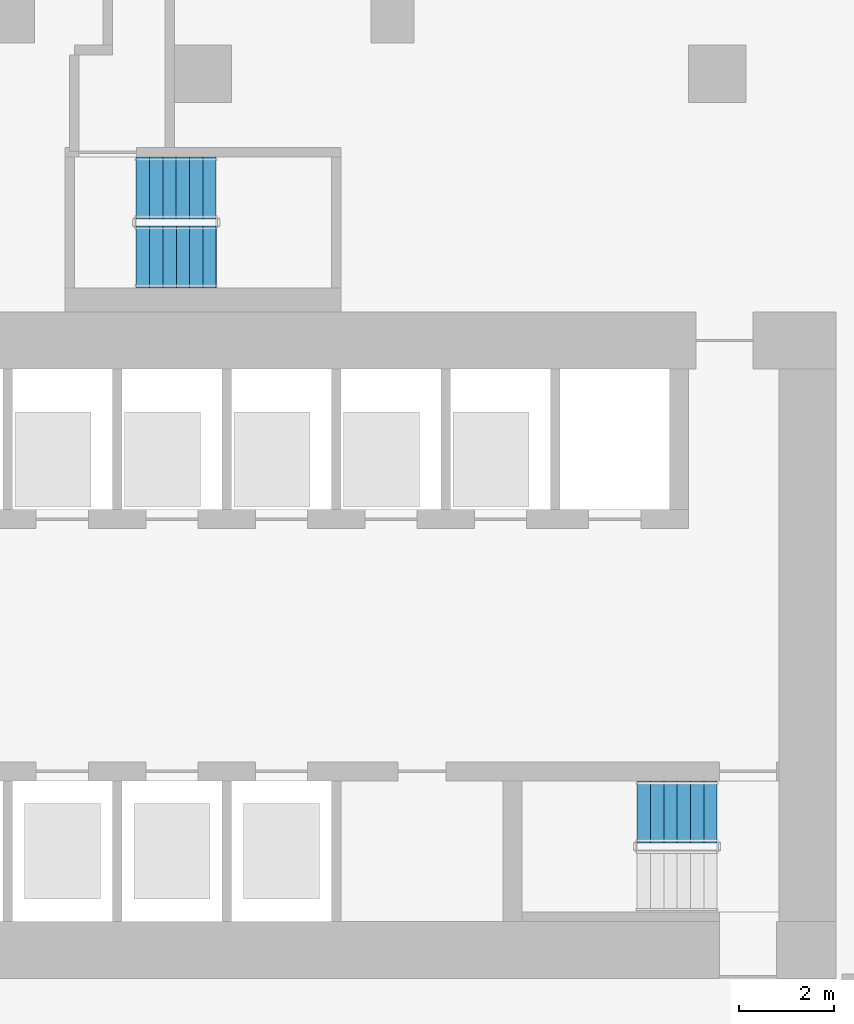
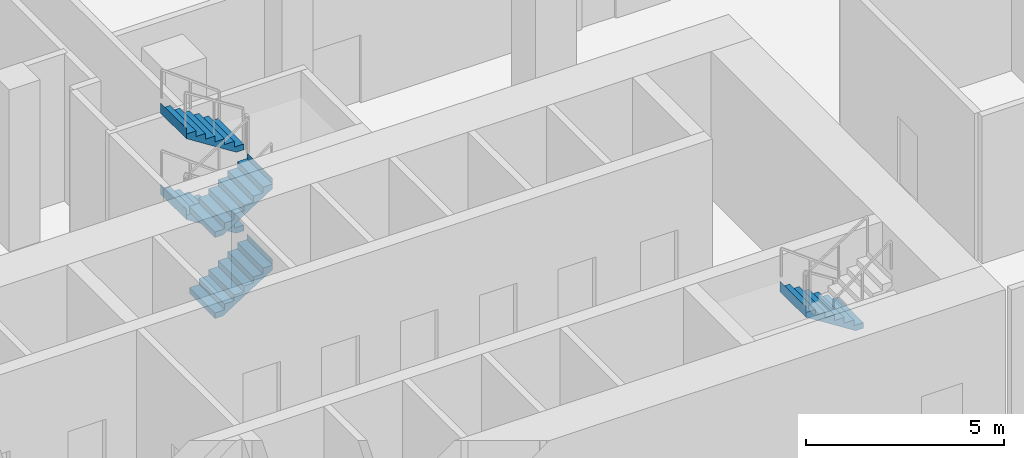
# One storey, part 43 of 57: 5 stair flights, 2 elements without a shape of their own.
"""IFC4 building model written with IfcOpenShell, lengths in metres."""

from ifc_helpers import new_model, si_unit, direction, frame, origin, place, context, subcontext, project, spatial, triangles, material, type_object, element, aggregate, save


model = new_model("IFC4")

# Units and contexts
model_context = context("Model", 3, precision=1e-05, world=origin(), true_north=direction((0.0, 1.0)))
body_context = subcontext(model_context, "Body", "Model", "MODEL_VIEW")
ifc_project = project(units=[si_unit("LENGTHUNIT", "METRE"), si_unit("AREAUNIT", "SQUARE_METRE"), si_unit("VOLUMEUNIT", "CUBIC_METRE"), si_unit("PLANEANGLEUNIT", "RADIAN"), si_unit("MASSUNIT", "GRAM", prefix="KILO")], contexts=[model_context])

# Site, building, storey
site_placement = place(None, origin())
site = spatial("IfcSite", under=ifc_project, at=site_placement, CompositionType="ELEMENT")
building_placement = place(site_placement, origin())
building = spatial("IfcBuilding", under=site, at=building_placement, Name="Beryl Residences", CompositionType="ELEMENT")
storey_placement = place(building_placement, origin())
storey = spatial("IfcBuildingStorey", under=building, at=storey_placement, Name="L00", CompositionType="ELEMENT", Elevation=0.0)

# Stair, stair flight
ifc_material_1 = material(Name="Concrete C40/50", Category="concrete")
stair_type = type_object("IfcStairType", Name="ST1 protected exit stair, half-turn, 1300 mm flights", PredefinedType="HALF_TURN_STAIR", material=ifc_material_1)
stair_1_placement = place(storey_placement, origin())
stair_1 = element("IfcStair", 1, at=stair_1_placement, inside=storey, type_object=stair_type, Name="L00 PROTECTED EXIT STAIR ST-3", PredefinedType="HALF_TURN_STAIR")
ifc_material_2 = material(Name="Concrete C40/50", Category="concrete")
stair_flight_type = type_object("IfcStairFlightType", Name="SF1 stair flight 1300 mm", PredefinedType="STRAIGHT", material=ifc_material_2)
stair_flight_1_placement = place(storey_placement, frame((10.800048828125, -15.5, 2.5), z_axis=(0.0, 0.0, 1.0), x_axis=(-1.0, 0.0, 0.0)))
stair_flight_1 = element("IfcStairFlight", 2, at=stair_flight_1_placement, type_object=stair_flight_type, Name="ST-3 flight 3", NumberOfRisers=7, NumberOfTreads=6, PredefinedType="STRAIGHT", RiserHeight=0.178571429, TreadLength=0.28, context=body_context, shape_type="Tessellation", body=[
    triangles([(0.0, -0.64990234375, 0.0), (0.0, -0.324951171875, 0.0), (0.0, 0.0, 0.0), (0.0, 0.324951171875, 0.0), (0.0, 0.64990234375, 0.0), (0.0, -0.64990234375, 0.178466796875), (0.0, -0.324951171875, 0.178466796875), (0.0, 0.0, 0.178466796875), (0.0, 0.324951171875, 0.178466796875), (0.0, 0.64990234375, 0.178466796875), (0.280029296875, -0.64990234375, 0.178466796875), (0.280029296875, -0.324951171875, 0.178466796875), (0.280029296875, 0.0, 0.178466796875), (0.280029296875, 0.324951171875, 0.178466796875), (0.280029296875, 0.64990234375, 0.178466796875), (0.280029296875, -0.64990234375, 0.357177734375), (0.280029296875, -0.324951171875, 0.357177734375), (0.280029296875, 0.0, 0.357177734375), (0.280029296875, 0.324951171875, 0.357177734375), (0.280029296875, 0.64990234375, 0.357177734375), (0.56005859375, -0.64990234375, 0.357177734375), (0.56005859375, -0.324951171875, 0.357177734375), (0.56005859375, 0.0, 0.357177734375), (0.56005859375, 0.324951171875, 0.357177734375), (0.56005859375, 0.64990234375, 0.357177734375), (0.56005859375, -0.64990234375, 0.53564453125), (0.56005859375, -0.324951171875, 0.53564453125), (0.56005859375, 0.0, 0.53564453125), (0.56005859375, 0.324951171875, 0.53564453125), (0.56005859375, 0.64990234375, 0.53564453125), (0.840087890625, -0.64990234375, 0.53564453125), (0.840087890625, -0.324951171875, 0.53564453125), (0.840087890625, 0.0, 0.53564453125), (0.840087890625, 0.324951171875, 0.53564453125), (0.840087890625, 0.64990234375, 0.53564453125), (0.840087890625, -0.64990234375, 0.71435546875), (0.840087890625, -0.324951171875, 0.71435546875), (0.840087890625, 0.0, 0.71435546875), (0.840087890625, 0.324951171875, 0.71435546875), (0.840087890625, 0.64990234375, 0.71435546875), (1.1201171875, -0.64990234375, 0.71435546875), (1.1201171875, -0.324951171875, 0.71435546875), (1.1201171875, 0.0, 0.71435546875), (1.1201171875, 0.324951171875, 0.71435546875), (1.1201171875, 0.64990234375, 0.71435546875), (1.1201171875, -0.64990234375, 0.892822265625), (1.1201171875, -0.324951171875, 0.892822265625), (1.1201171875, 0.0, 0.892822265625), (1.1201171875, 0.324951171875, 0.892822265625), (1.1201171875, 0.64990234375, 0.892822265625), (1.39990234375, -0.64990234375, 0.892822265625), (1.39990234375, -0.324951171875, 0.892822265625), (1.39990234375, 0.0, 0.892822265625), (1.39990234375, 0.324951171875, 0.892822265625), (1.39990234375, 0.64990234375, 0.892822265625), (1.39990234375, -0.64990234375, 1.071533203125), (1.39990234375, -0.324951171875, 1.071533203125), (1.39990234375, 0.0, 1.071533203125), (1.39990234375, 0.324951171875, 1.071533203125), (1.39990234375, 0.64990234375, 1.071533203125), (1.679931640625, -0.64990234375, 1.071533203125), (1.679931640625, -0.324951171875, 1.071533203125), (1.679931640625, 0.0, 1.071533203125), (1.679931640625, 0.324951171875, 1.071533203125), (1.679931640625, 0.64990234375, 1.071533203125), (1.679931640625, -0.64990234375, 1.25), (1.679931640625, -0.324951171875, 1.25), (1.679931640625, 0.0, 1.25), (1.679931640625, 0.324951171875, 1.25), (1.679931640625, 0.64990234375, 1.25), (1.680908203125, -0.64990234375, 1.25), (1.680908203125, -0.324951171875, 1.25), (1.680908203125, 0.0, 1.25), (1.680908203125, 0.324951171875, 1.25), (1.680908203125, 0.64990234375, 1.25), (1.680908203125, -0.64990234375, 0.928955078125), (1.680908203125, -0.324951171875, 0.928955078125), (1.680908203125, 0.0, 0.928955078125), (1.680908203125, 0.324951171875, 0.928955078125), (1.680908203125, 0.64990234375, 0.928955078125), (0.224365234375, -0.64990234375, 0.0), (0.224365234375, -0.324951171875, 0.0), (0.224365234375, 0.0, 0.0), (0.224365234375, 0.324951171875, 0.0), (0.224365234375, 0.64990234375, 0.0)], [[1, 6, 7], [1, 7, 2], [2, 7, 8], [2, 8, 3], [3, 8, 9], [3, 9, 4], [4, 9, 10], [4, 10, 5], [6, 11, 12], [6, 12, 7], [7, 12, 13], [7, 13, 8], [8, 13, 14], [8, 14, 9], [9, 14, 15], [9, 15, 10], [11, 16, 17], [11, 17, 12], [12, 17, 18], [12, 18, 13], [13, 18, 19], [13, 19, 14], [14, 19, 20], [14, 20, 15], [16, 21, 22], [16, 22, 17], [17, 22, 23], [17, 23, 18], [18, 23, 24], [18, 24, 19], [19, 24, 25], [19, 25, 20], [21, 26, 27], [21, 27, 22], [22, 27, 28], [22, 28, 23], [23, 28, 29], [23, 29, 24], [24, 29, 30], [24, 30, 25], [26, 31, 32], [26, 32, 27], [27, 32, 33], [27, 33, 28], [28, 33, 34], [28, 34, 29], [29, 34, 35], [29, 35, 30], [31, 36, 37], [31, 37, 32], [32, 37, 38], [32, 38, 33], [33, 38, 39], [33, 39, 34], [34, 39, 40], [34, 40, 35], [36, 41, 42], [36, 42, 37], [37, 42, 43], [37, 43, 38], [38, 43, 44], [38, 44, 39], [39, 44, 45], [39, 45, 40], [41, 46, 47], [41, 47, 42], [42, 47, 48], [42, 48, 43], [43, 48, 49], [43, 49, 44], [44, 49, 50], [44, 50, 45], [46, 51, 52], [46, 52, 47], [47, 52, 53], [47, 53, 48], [48, 53, 54], [48, 54, 49], [49, 54, 55], [49, 55, 50], [51, 56, 57], [51, 57, 52], [52, 57, 58], [52, 58, 53], [53, 58, 59], [53, 59, 54], [54, 59, 60], [54, 60, 55], [56, 61, 62], [56, 62, 57], [57, 62, 63], [57, 63, 58], [58, 63, 64], [58, 64, 59], [59, 64, 65], [59, 65, 60], [61, 66, 67], [61, 67, 62], [62, 67, 68], [62, 68, 63], [63, 68, 69], [63, 69, 64], [64, 69, 70], [64, 70, 65], [66, 71, 72], [66, 72, 67], [67, 72, 73], [67, 73, 68], [68, 73, 74], [68, 74, 69], [69, 74, 75], [69, 75, 70], [71, 76, 77], [71, 77, 72], [72, 77, 78], [72, 78, 73], [73, 78, 79], [73, 79, 74], [74, 79, 80], [74, 80, 75], [76, 81, 82], [76, 82, 77], [77, 82, 83], [77, 83, 78], [78, 83, 84], [78, 84, 79], [79, 84, 85], [79, 85, 80], [81, 1, 2], [81, 2, 82], [82, 2, 3], [82, 3, 83], [83, 3, 4], [83, 4, 84], [84, 4, 5], [84, 5, 85], [1, 81, 76], [5, 80, 85], [76, 71, 66], [80, 70, 75], [76, 66, 61], [80, 65, 70], [76, 61, 56], [80, 60, 65], [76, 56, 51], [80, 55, 60], [51, 46, 41], [55, 45, 50], [76, 51, 41], [80, 45, 55], [41, 36, 31], [45, 35, 40], [76, 41, 31], [80, 35, 45], [31, 26, 21], [35, 25, 30], [76, 31, 21], [80, 25, 35], [21, 16, 11], [25, 15, 20], [76, 21, 11], [80, 15, 25], [1, 76, 11], [5, 15, 80], [11, 6, 1], [15, 5, 10]], closed=True),
])
aggregate(stair_1, [stair_flight_1])

# Stair, stair flights
stair_2_placement = place(storey_placement, origin())
stair_2 = element("IfcStair", 3, at=stair_2_placement, inside=storey, type_object=stair_type, Name="L00 PROTECTED EXIT STAIR ST-4", PredefinedType="HALF_TURN_STAIR")
stair_flight_2_placement = place(storey_placement, frame((-1.39990234375, -3.85009765625, 0.0), z_axis=(0.0, 0.0, 1.0), x_axis=(1.0, 0.0, 0.0)))
stair_flight_2 = element("IfcStairFlight", 4, at=stair_flight_2_placement, type_object=stair_flight_type, Name="ST-4 flight 1", NumberOfRisers=7, NumberOfTreads=6, PredefinedType="STRAIGHT", RiserHeight=0.178571429, TreadLength=0.28, context=body_context, shape_type="Tessellation", body=[
    triangles([(0.0, -0.64990234375, 0.0), (0.0, -0.324951171875, 0.0), (0.0, 0.0, 0.0), (0.0, 0.324951171875, 0.0), (0.0, 0.64990234375, 0.0), (0.0, -0.64990234375, 0.178466796875), (0.0, -0.324951171875, 0.178466796875), (0.0, 0.0, 0.178466796875), (0.0, 0.324951171875, 0.178466796875), (0.0, 0.64990234375, 0.178466796875), (0.280029296875, -0.64990234375, 0.178466796875), (0.280029296875, -0.324951171875, 0.178466796875), (0.280029296875, 0.0, 0.178466796875), (0.280029296875, 0.324951171875, 0.178466796875), (0.280029296875, 0.64990234375, 0.178466796875), (0.280029296875, -0.64990234375, 0.357177734375), (0.280029296875, -0.324951171875, 0.357177734375), (0.280029296875, 0.0, 0.357177734375), (0.280029296875, 0.324951171875, 0.357177734375), (0.280029296875, 0.64990234375, 0.357177734375), (0.56005859375, -0.64990234375, 0.357177734375), (0.56005859375, -0.324951171875, 0.357177734375), (0.56005859375, 0.0, 0.357177734375), (0.56005859375, 0.324951171875, 0.357177734375), (0.56005859375, 0.64990234375, 0.357177734375), (0.56005859375, -0.64990234375, 0.53564453125), (0.56005859375, -0.324951171875, 0.53564453125), (0.56005859375, 0.0, 0.53564453125), (0.56005859375, 0.324951171875, 0.53564453125), (0.56005859375, 0.64990234375, 0.53564453125), (0.840087890625, -0.64990234375, 0.53564453125), (0.840087890625, -0.324951171875, 0.53564453125), (0.840087890625, 0.0, 0.53564453125), (0.840087890625, 0.324951171875, 0.53564453125), (0.840087890625, 0.64990234375, 0.53564453125), (0.840087890625, -0.64990234375, 0.71435546875), (0.840087890625, -0.324951171875, 0.71435546875), (0.840087890625, 0.0, 0.71435546875), (0.840087890625, 0.324951171875, 0.71435546875), (0.840087890625, 0.64990234375, 0.71435546875), (1.1201171875, -0.64990234375, 0.71435546875), (1.1201171875, -0.324951171875, 0.71435546875), (1.1201171875, 0.0, 0.71435546875), (1.1201171875, 0.324951171875, 0.71435546875), (1.1201171875, 0.64990234375, 0.71435546875), (1.1201171875, -0.64990234375, 0.892822265625), (1.1201171875, -0.324951171875, 0.892822265625), (1.1201171875, 0.0, 0.892822265625), (1.1201171875, 0.324951171875, 0.892822265625), (1.1201171875, 0.64990234375, 0.892822265625), (1.39990234375, -0.64990234375, 0.892822265625), (1.39990234375, -0.324951171875, 0.892822265625), (1.39990234375, 0.0, 0.892822265625), (1.39990234375, 0.324951171875, 0.892822265625), (1.39990234375, 0.64990234375, 0.892822265625), (1.39990234375, -0.64990234375, 1.071533203125), (1.39990234375, -0.324951171875, 1.071533203125), (1.39990234375, 0.0, 1.071533203125), (1.39990234375, 0.324951171875, 1.071533203125), (1.39990234375, 0.64990234375, 1.071533203125), (1.679931640625, -0.64990234375, 1.071533203125), (1.679931640625, -0.324951171875, 1.071533203125), (1.679931640625, 0.0, 1.071533203125), (1.679931640625, 0.324951171875, 1.071533203125), (1.679931640625, 0.64990234375, 1.071533203125), (1.679931640625, -0.64990234375, 1.25), (1.679931640625, -0.324951171875, 1.25), (1.679931640625, 0.0, 1.25), (1.679931640625, 0.324951171875, 1.25), (1.679931640625, 0.64990234375, 1.25), (1.680908203125, -0.64990234375, 1.25), (1.680908203125, -0.324951171875, 1.25), (1.680908203125, 0.0, 1.25), (1.680908203125, 0.324951171875, 1.25), (1.680908203125, 0.64990234375, 1.25), (1.680908203125, -0.64990234375, 0.928955078125), (1.680908203125, -0.324951171875, 0.928955078125), (1.680908203125, 0.0, 0.928955078125), (1.680908203125, 0.324951171875, 0.928955078125), (1.680908203125, 0.64990234375, 0.928955078125), (0.224365234375, -0.64990234375, 0.0), (0.224365234375, -0.324951171875, 0.0), (0.224365234375, 0.0, 0.0), (0.224365234375, 0.324951171875, 0.0), (0.224365234375, 0.64990234375, 0.0)], [[1, 6, 7], [1, 7, 2], [2, 7, 8], [2, 8, 3], [3, 8, 9], [3, 9, 4], [4, 9, 10], [4, 10, 5], [6, 11, 12], [6, 12, 7], [7, 12, 13], [7, 13, 8], [8, 13, 14], [8, 14, 9], [9, 14, 15], [9, 15, 10], [11, 16, 17], [11, 17, 12], [12, 17, 18], [12, 18, 13], [13, 18, 19], [13, 19, 14], [14, 19, 20], [14, 20, 15], [16, 21, 22], [16, 22, 17], [17, 22, 23], [17, 23, 18], [18, 23, 24], [18, 24, 19], [19, 24, 25], [19, 25, 20], [21, 26, 27], [21, 27, 22], [22, 27, 28], [22, 28, 23], [23, 28, 29], [23, 29, 24], [24, 29, 30], [24, 30, 25], [26, 31, 32], [26, 32, 27], [27, 32, 33], [27, 33, 28], [28, 33, 34], [28, 34, 29], [29, 34, 35], [29, 35, 30], [31, 36, 37], [31, 37, 32], [32, 37, 38], [32, 38, 33], [33, 38, 39], [33, 39, 34], [34, 39, 40], [34, 40, 35], [36, 41, 42], [36, 42, 37], [37, 42, 43], [37, 43, 38], [38, 43, 44], [38, 44, 39], [39, 44, 45], [39, 45, 40], [41, 46, 47], [41, 47, 42], [42, 47, 48], [42, 48, 43], [43, 48, 49], [43, 49, 44], [44, 49, 50], [44, 50, 45], [46, 51, 52], [46, 52, 47], [47, 52, 53], [47, 53, 48], [48, 53, 54], [48, 54, 49], [49, 54, 55], [49, 55, 50], [51, 56, 57], [51, 57, 52], [52, 57, 58], [52, 58, 53], [53, 58, 59], [53, 59, 54], [54, 59, 60], [54, 60, 55], [56, 61, 62], [56, 62, 57], [57, 62, 63], [57, 63, 58], [58, 63, 64], [58, 64, 59], [59, 64, 65], [59, 65, 60], [61, 66, 67], [61, 67, 62], [62, 67, 68], [62, 68, 63], [63, 68, 69], [63, 69, 64], [64, 69, 70], [64, 70, 65], [66, 71, 72], [66, 72, 67], [67, 72, 73], [67, 73, 68], [68, 73, 74], [68, 74, 69], [69, 74, 75], [69, 75, 70], [71, 76, 77], [71, 77, 72], [72, 77, 78], [72, 78, 73], [73, 78, 79], [73, 79, 74], [74, 79, 80], [74, 80, 75], [76, 81, 82], [76, 82, 77], [77, 82, 83], [77, 83, 78], [78, 83, 84], [78, 84, 79], [79, 84, 85], [79, 85, 80], [81, 1, 2], [81, 2, 82], [82, 2, 3], [82, 3, 83], [83, 3, 4], [83, 4, 84], [84, 4, 5], [84, 5, 85], [1, 81, 76], [5, 80, 85], [76, 71, 66], [80, 70, 75], [76, 66, 61], [80, 65, 70], [76, 61, 56], [80, 60, 65], [76, 56, 51], [80, 55, 60], [51, 46, 41], [55, 45, 50], [76, 51, 41], [80, 45, 55], [41, 36, 31], [45, 35, 40], [76, 41, 31], [80, 35, 45], [31, 26, 21], [35, 25, 30], [76, 31, 21], [80, 25, 35], [21, 16, 11], [25, 15, 20], [76, 21, 11], [80, 15, 25], [1, 76, 11], [5, 15, 80], [11, 6, 1], [15, 5, 10]], closed=True),
])
stair_flight_3_placement = place(storey_placement, frame((0.280029296875, -2.39990234375, 1.25), z_axis=(0.0, 0.0, 1.0), x_axis=(-1.0, 0.0, 0.0)))
stair_flight_3 = element("IfcStairFlight", 5, at=stair_flight_3_placement, type_object=stair_flight_type, Name="ST-4 flight 2", NumberOfRisers=7, NumberOfTreads=6, PredefinedType="STRAIGHT", RiserHeight=0.178571429, TreadLength=0.28, context=body_context, shape_type="Tessellation", body=[
    triangles([(0.0, -0.64990234375, 0.0), (0.0, -0.324951171875, 0.0), (0.0, 0.0, 0.0), (0.0, 0.324951171875, 0.0), (0.0, 0.64990234375, 0.0), (0.0, -0.64990234375, 0.178466796875), (0.0, -0.324951171875, 0.178466796875), (0.0, 0.0, 0.178466796875), (0.0, 0.324951171875, 0.178466796875), (0.0, 0.64990234375, 0.178466796875), (0.280029296875, -0.64990234375, 0.178466796875), (0.280029296875, -0.324951171875, 0.178466796875), (0.280029296875, 0.0, 0.178466796875), (0.280029296875, 0.324951171875, 0.178466796875), (0.280029296875, 0.64990234375, 0.178466796875), (0.280029296875, -0.64990234375, 0.357177734375), (0.280029296875, -0.324951171875, 0.357177734375), (0.280029296875, 0.0, 0.357177734375), (0.280029296875, 0.324951171875, 0.357177734375), (0.280029296875, 0.64990234375, 0.357177734375), (0.56005859375, -0.64990234375, 0.357177734375), (0.56005859375, -0.324951171875, 0.357177734375), (0.56005859375, 0.0, 0.357177734375), (0.56005859375, 0.324951171875, 0.357177734375), (0.56005859375, 0.64990234375, 0.357177734375), (0.56005859375, -0.64990234375, 0.53564453125), (0.56005859375, -0.324951171875, 0.53564453125), (0.56005859375, 0.0, 0.53564453125), (0.56005859375, 0.324951171875, 0.53564453125), (0.56005859375, 0.64990234375, 0.53564453125), (0.840087890625, -0.64990234375, 0.53564453125), (0.840087890625, -0.324951171875, 0.53564453125), (0.840087890625, 0.0, 0.53564453125), (0.840087890625, 0.324951171875, 0.53564453125), (0.840087890625, 0.64990234375, 0.53564453125), (0.840087890625, -0.64990234375, 0.71435546875), (0.840087890625, -0.324951171875, 0.71435546875), (0.840087890625, 0.0, 0.71435546875), (0.840087890625, 0.324951171875, 0.71435546875), (0.840087890625, 0.64990234375, 0.71435546875), (1.1201171875, -0.64990234375, 0.71435546875), (1.1201171875, -0.324951171875, 0.71435546875), (1.1201171875, 0.0, 0.71435546875), (1.1201171875, 0.324951171875, 0.71435546875), (1.1201171875, 0.64990234375, 0.71435546875), (1.1201171875, -0.64990234375, 0.892822265625), (1.1201171875, -0.324951171875, 0.892822265625), (1.1201171875, 0.0, 0.892822265625), (1.1201171875, 0.324951171875, 0.892822265625), (1.1201171875, 0.64990234375, 0.892822265625), (1.39990234375, -0.64990234375, 0.892822265625), (1.39990234375, -0.324951171875, 0.892822265625), (1.39990234375, 0.0, 0.892822265625), (1.39990234375, 0.324951171875, 0.892822265625), (1.39990234375, 0.64990234375, 0.892822265625), (1.39990234375, -0.64990234375, 1.071533203125), (1.39990234375, -0.324951171875, 1.071533203125), (1.39990234375, 0.0, 1.071533203125), (1.39990234375, 0.324951171875, 1.071533203125), (1.39990234375, 0.64990234375, 1.071533203125), (1.679931640625, -0.64990234375, 1.071533203125), (1.679931640625, -0.324951171875, 1.071533203125), (1.679931640625, 0.0, 1.071533203125), (1.679931640625, 0.324951171875, 1.071533203125), (1.679931640625, 0.64990234375, 1.071533203125), (1.679931640625, -0.64990234375, 1.25), (1.679931640625, -0.324951171875, 1.25), (1.679931640625, 0.0, 1.25), (1.679931640625, 0.324951171875, 1.25), (1.679931640625, 0.64990234375, 1.25), (1.680908203125, -0.64990234375, 1.25), (1.680908203125, -0.324951171875, 1.25), (1.680908203125, 0.0, 1.25), (1.680908203125, 0.324951171875, 1.25), (1.680908203125, 0.64990234375, 1.25), (1.680908203125, -0.64990234375, 0.928955078125), (1.680908203125, -0.324951171875, 0.928955078125), (1.680908203125, 0.0, 0.928955078125), (1.680908203125, 0.324951171875, 0.928955078125), (1.680908203125, 0.64990234375, 0.928955078125), (0.224365234375, -0.64990234375, 0.0), (0.224365234375, -0.324951171875, 0.0), (0.224365234375, 0.0, 0.0), (0.224365234375, 0.324951171875, 0.0), (0.224365234375, 0.64990234375, 0.0)], [[1, 6, 7], [1, 7, 2], [2, 7, 8], [2, 8, 3], [3, 8, 9], [3, 9, 4], [4, 9, 10], [4, 10, 5], [6, 11, 12], [6, 12, 7], [7, 12, 13], [7, 13, 8], [8, 13, 14], [8, 14, 9], [9, 14, 15], [9, 15, 10], [11, 16, 17], [11, 17, 12], [12, 17, 18], [12, 18, 13], [13, 18, 19], [13, 19, 14], [14, 19, 20], [14, 20, 15], [16, 21, 22], [16, 22, 17], [17, 22, 23], [17, 23, 18], [18, 23, 24], [18, 24, 19], [19, 24, 25], [19, 25, 20], [21, 26, 27], [21, 27, 22], [22, 27, 28], [22, 28, 23], [23, 28, 29], [23, 29, 24], [24, 29, 30], [24, 30, 25], [26, 31, 32], [26, 32, 27], [27, 32, 33], [27, 33, 28], [28, 33, 34], [28, 34, 29], [29, 34, 35], [29, 35, 30], [31, 36, 37], [31, 37, 32], [32, 37, 38], [32, 38, 33], [33, 38, 39], [33, 39, 34], [34, 39, 40], [34, 40, 35], [36, 41, 42], [36, 42, 37], [37, 42, 43], [37, 43, 38], [38, 43, 44], [38, 44, 39], [39, 44, 45], [39, 45, 40], [41, 46, 47], [41, 47, 42], [42, 47, 48], [42, 48, 43], [43, 48, 49], [43, 49, 44], [44, 49, 50], [44, 50, 45], [46, 51, 52], [46, 52, 47], [47, 52, 53], [47, 53, 48], [48, 53, 54], [48, 54, 49], [49, 54, 55], [49, 55, 50], [51, 56, 57], [51, 57, 52], [52, 57, 58], [52, 58, 53], [53, 58, 59], [53, 59, 54], [54, 59, 60], [54, 60, 55], [56, 61, 62], [56, 62, 57], [57, 62, 63], [57, 63, 58], [58, 63, 64], [58, 64, 59], [59, 64, 65], [59, 65, 60], [61, 66, 67], [61, 67, 62], [62, 67, 68], [62, 68, 63], [63, 68, 69], [63, 69, 64], [64, 69, 70], [64, 70, 65], [66, 71, 72], [66, 72, 67], [67, 72, 73], [67, 73, 68], [68, 73, 74], [68, 74, 69], [69, 74, 75], [69, 75, 70], [71, 76, 77], [71, 77, 72], [72, 77, 78], [72, 78, 73], [73, 78, 79], [73, 79, 74], [74, 79, 80], [74, 80, 75], [76, 81, 82], [76, 82, 77], [77, 82, 83], [77, 83, 78], [78, 83, 84], [78, 84, 79], [79, 84, 85], [79, 85, 80], [81, 1, 2], [81, 2, 82], [82, 2, 3], [82, 3, 83], [83, 3, 4], [83, 4, 84], [84, 4, 5], [84, 5, 85], [1, 81, 76], [5, 80, 85], [76, 71, 66], [80, 70, 75], [76, 66, 61], [80, 65, 70], [76, 61, 56], [80, 60, 65], [76, 56, 51], [80, 55, 60], [51, 46, 41], [55, 45, 50], [76, 51, 41], [80, 45, 55], [41, 36, 31], [45, 35, 40], [76, 41, 31], [80, 35, 45], [31, 26, 21], [35, 25, 30], [76, 31, 21], [80, 25, 35], [21, 16, 11], [25, 15, 20], [76, 21, 11], [80, 15, 25], [1, 76, 11], [5, 15, 80], [11, 6, 1], [15, 5, 10]], closed=True),
])
stair_flight_4_placement = place(storey_placement, frame((-1.39990234375, -3.85009765625, 2.5), z_axis=(0.0, 0.0, 1.0), x_axis=(1.0, 0.0, 0.0)))
stair_flight_4 = element("IfcStairFlight", 6, at=stair_flight_4_placement, type_object=stair_flight_type, Name="ST-4 flight 3", NumberOfRisers=7, NumberOfTreads=6, PredefinedType="STRAIGHT", RiserHeight=0.178571429, TreadLength=0.28, context=body_context, shape_type="Tessellation", body=[
    triangles([(0.0, -0.64990234375, 0.0), (0.0, -0.324951171875, 0.0), (0.0, 0.0, 0.0), (0.0, 0.324951171875, 0.0), (0.0, 0.64990234375, 0.0), (0.0, -0.64990234375, 0.178466796875), (0.0, -0.324951171875, 0.178466796875), (0.0, 0.0, 0.178466796875), (0.0, 0.324951171875, 0.178466796875), (0.0, 0.64990234375, 0.178466796875), (0.280029296875, -0.64990234375, 0.178466796875), (0.280029296875, -0.324951171875, 0.178466796875), (0.280029296875, 0.0, 0.178466796875), (0.280029296875, 0.324951171875, 0.178466796875), (0.280029296875, 0.64990234375, 0.178466796875), (0.280029296875, -0.64990234375, 0.357177734375), (0.280029296875, -0.324951171875, 0.357177734375), (0.280029296875, 0.0, 0.357177734375), (0.280029296875, 0.324951171875, 0.357177734375), (0.280029296875, 0.64990234375, 0.357177734375), (0.56005859375, -0.64990234375, 0.357177734375), (0.56005859375, -0.324951171875, 0.357177734375), (0.56005859375, 0.0, 0.357177734375), (0.56005859375, 0.324951171875, 0.357177734375), (0.56005859375, 0.64990234375, 0.357177734375), (0.56005859375, -0.64990234375, 0.53564453125), (0.56005859375, -0.324951171875, 0.53564453125), (0.56005859375, 0.0, 0.53564453125), (0.56005859375, 0.324951171875, 0.53564453125), (0.56005859375, 0.64990234375, 0.53564453125), (0.840087890625, -0.64990234375, 0.53564453125), (0.840087890625, -0.324951171875, 0.53564453125), (0.840087890625, 0.0, 0.53564453125), (0.840087890625, 0.324951171875, 0.53564453125), (0.840087890625, 0.64990234375, 0.53564453125), (0.840087890625, -0.64990234375, 0.71435546875), (0.840087890625, -0.324951171875, 0.71435546875), (0.840087890625, 0.0, 0.71435546875), (0.840087890625, 0.324951171875, 0.71435546875), (0.840087890625, 0.64990234375, 0.71435546875), (1.1201171875, -0.64990234375, 0.71435546875), (1.1201171875, -0.324951171875, 0.71435546875), (1.1201171875, 0.0, 0.71435546875), (1.1201171875, 0.324951171875, 0.71435546875), (1.1201171875, 0.64990234375, 0.71435546875), (1.1201171875, -0.64990234375, 0.892822265625), (1.1201171875, -0.324951171875, 0.892822265625), (1.1201171875, 0.0, 0.892822265625), (1.1201171875, 0.324951171875, 0.892822265625), (1.1201171875, 0.64990234375, 0.892822265625), (1.39990234375, -0.64990234375, 0.892822265625), (1.39990234375, -0.324951171875, 0.892822265625), (1.39990234375, 0.0, 0.892822265625), (1.39990234375, 0.324951171875, 0.892822265625), (1.39990234375, 0.64990234375, 0.892822265625), (1.39990234375, -0.64990234375, 1.071533203125), (1.39990234375, -0.324951171875, 1.071533203125), (1.39990234375, 0.0, 1.071533203125), (1.39990234375, 0.324951171875, 1.071533203125), (1.39990234375, 0.64990234375, 1.071533203125), (1.679931640625, -0.64990234375, 1.071533203125), (1.679931640625, -0.324951171875, 1.071533203125), (1.679931640625, 0.0, 1.071533203125), (1.679931640625, 0.324951171875, 1.071533203125), (1.679931640625, 0.64990234375, 1.071533203125), (1.679931640625, -0.64990234375, 1.25), (1.679931640625, -0.324951171875, 1.25), (1.679931640625, 0.0, 1.25), (1.679931640625, 0.324951171875, 1.25), (1.679931640625, 0.64990234375, 1.25), (1.680908203125, -0.64990234375, 1.25), (1.680908203125, -0.324951171875, 1.25), (1.680908203125, 0.0, 1.25), (1.680908203125, 0.324951171875, 1.25), (1.680908203125, 0.64990234375, 1.25), (1.680908203125, -0.64990234375, 0.928955078125), (1.680908203125, -0.324951171875, 0.928955078125), (1.680908203125, 0.0, 0.928955078125), (1.680908203125, 0.324951171875, 0.928955078125), (1.680908203125, 0.64990234375, 0.928955078125), (0.224365234375, -0.64990234375, 0.0), (0.224365234375, -0.324951171875, 0.0), (0.224365234375, 0.0, 0.0), (0.224365234375, 0.324951171875, 0.0), (0.224365234375, 0.64990234375, 0.0)], [[1, 6, 7], [1, 7, 2], [2, 7, 8], [2, 8, 3], [3, 8, 9], [3, 9, 4], [4, 9, 10], [4, 10, 5], [6, 11, 12], [6, 12, 7], [7, 12, 13], [7, 13, 8], [8, 13, 14], [8, 14, 9], [9, 14, 15], [9, 15, 10], [11, 16, 17], [11, 17, 12], [12, 17, 18], [12, 18, 13], [13, 18, 19], [13, 19, 14], [14, 19, 20], [14, 20, 15], [16, 21, 22], [16, 22, 17], [17, 22, 23], [17, 23, 18], [18, 23, 24], [18, 24, 19], [19, 24, 25], [19, 25, 20], [21, 26, 27], [21, 27, 22], [22, 27, 28], [22, 28, 23], [23, 28, 29], [23, 29, 24], [24, 29, 30], [24, 30, 25], [26, 31, 32], [26, 32, 27], [27, 32, 33], [27, 33, 28], [28, 33, 34], [28, 34, 29], [29, 34, 35], [29, 35, 30], [31, 36, 37], [31, 37, 32], [32, 37, 38], [32, 38, 33], [33, 38, 39], [33, 39, 34], [34, 39, 40], [34, 40, 35], [36, 41, 42], [36, 42, 37], [37, 42, 43], [37, 43, 38], [38, 43, 44], [38, 44, 39], [39, 44, 45], [39, 45, 40], [41, 46, 47], [41, 47, 42], [42, 47, 48], [42, 48, 43], [43, 48, 49], [43, 49, 44], [44, 49, 50], [44, 50, 45], [46, 51, 52], [46, 52, 47], [47, 52, 53], [47, 53, 48], [48, 53, 54], [48, 54, 49], [49, 54, 55], [49, 55, 50], [51, 56, 57], [51, 57, 52], [52, 57, 58], [52, 58, 53], [53, 58, 59], [53, 59, 54], [54, 59, 60], [54, 60, 55], [56, 61, 62], [56, 62, 57], [57, 62, 63], [57, 63, 58], [58, 63, 64], [58, 64, 59], [59, 64, 65], [59, 65, 60], [61, 66, 67], [61, 67, 62], [62, 67, 68], [62, 68, 63], [63, 68, 69], [63, 69, 64], [64, 69, 70], [64, 70, 65], [66, 71, 72], [66, 72, 67], [67, 72, 73], [67, 73, 68], [68, 73, 74], [68, 74, 69], [69, 74, 75], [69, 75, 70], [71, 76, 77], [71, 77, 72], [72, 77, 78], [72, 78, 73], [73, 78, 79], [73, 79, 74], [74, 79, 80], [74, 80, 75], [76, 81, 82], [76, 82, 77], [77, 82, 83], [77, 83, 78], [78, 83, 84], [78, 84, 79], [79, 84, 85], [79, 85, 80], [81, 1, 2], [81, 2, 82], [82, 2, 3], [82, 3, 83], [83, 3, 4], [83, 4, 84], [84, 4, 5], [84, 5, 85], [1, 81, 76], [5, 80, 85], [76, 71, 66], [80, 70, 75], [76, 66, 61], [80, 65, 70], [76, 61, 56], [80, 60, 65], [76, 56, 51], [80, 55, 60], [51, 46, 41], [55, 45, 50], [76, 51, 41], [80, 45, 55], [41, 36, 31], [45, 35, 40], [76, 41, 31], [80, 35, 45], [31, 26, 21], [35, 25, 30], [76, 31, 21], [80, 25, 35], [21, 16, 11], [25, 15, 20], [76, 21, 11], [80, 15, 25], [1, 76, 11], [5, 15, 80], [11, 6, 1], [15, 5, 10]], closed=True),
])
stair_flight_5_placement = place(storey_placement, frame((0.280029296875, -2.39990234375, 3.75), z_axis=(0.0, 0.0, 1.0), x_axis=(-1.0, 0.0, 0.0)))
stair_flight_5 = element("IfcStairFlight", 7, at=stair_flight_5_placement, type_object=stair_flight_type, Name="ST-4 flight 4", NumberOfRisers=7, NumberOfTreads=6, PredefinedType="STRAIGHT", RiserHeight=0.178571429, TreadLength=0.28, context=body_context, shape_type="Tessellation", body=[
    triangles([(0.0, -0.64990234375, 0.0), (0.0, -0.324951171875, 0.0), (0.0, 0.0, 0.0), (0.0, 0.324951171875, 0.0), (0.0, 0.64990234375, 0.0), (0.0, -0.64990234375, 0.178466796875), (0.0, -0.324951171875, 0.178466796875), (0.0, 0.0, 0.178466796875), (0.0, 0.324951171875, 0.178466796875), (0.0, 0.64990234375, 0.178466796875), (0.280029296875, -0.64990234375, 0.178466796875), (0.280029296875, -0.324951171875, 0.178466796875), (0.280029296875, 0.0, 0.178466796875), (0.280029296875, 0.324951171875, 0.178466796875), (0.280029296875, 0.64990234375, 0.178466796875), (0.280029296875, -0.64990234375, 0.357177734375), (0.280029296875, -0.324951171875, 0.357177734375), (0.280029296875, 0.0, 0.357177734375), (0.280029296875, 0.324951171875, 0.357177734375), (0.280029296875, 0.64990234375, 0.357177734375), (0.56005859375, -0.64990234375, 0.357177734375), (0.56005859375, -0.324951171875, 0.357177734375), (0.56005859375, 0.0, 0.357177734375), (0.56005859375, 0.324951171875, 0.357177734375), (0.56005859375, 0.64990234375, 0.357177734375), (0.56005859375, -0.64990234375, 0.53564453125), (0.56005859375, -0.324951171875, 0.53564453125), (0.56005859375, 0.0, 0.53564453125), (0.56005859375, 0.324951171875, 0.53564453125), (0.56005859375, 0.64990234375, 0.53564453125), (0.840087890625, -0.64990234375, 0.53564453125), (0.840087890625, -0.324951171875, 0.53564453125), (0.840087890625, 0.0, 0.53564453125), (0.840087890625, 0.324951171875, 0.53564453125), (0.840087890625, 0.64990234375, 0.53564453125), (0.840087890625, -0.64990234375, 0.71435546875), (0.840087890625, -0.324951171875, 0.71435546875), (0.840087890625, 0.0, 0.71435546875), (0.840087890625, 0.324951171875, 0.71435546875), (0.840087890625, 0.64990234375, 0.71435546875), (1.1201171875, -0.64990234375, 0.71435546875), (1.1201171875, -0.324951171875, 0.71435546875), (1.1201171875, 0.0, 0.71435546875), (1.1201171875, 0.324951171875, 0.71435546875), (1.1201171875, 0.64990234375, 0.71435546875), (1.1201171875, -0.64990234375, 0.892822265625), (1.1201171875, -0.324951171875, 0.892822265625), (1.1201171875, 0.0, 0.892822265625), (1.1201171875, 0.324951171875, 0.892822265625), (1.1201171875, 0.64990234375, 0.892822265625), (1.39990234375, -0.64990234375, 0.892822265625), (1.39990234375, -0.324951171875, 0.892822265625), (1.39990234375, 0.0, 0.892822265625), (1.39990234375, 0.324951171875, 0.892822265625), (1.39990234375, 0.64990234375, 0.892822265625), (1.39990234375, -0.64990234375, 1.071533203125), (1.39990234375, -0.324951171875, 1.071533203125), (1.39990234375, 0.0, 1.071533203125), (1.39990234375, 0.324951171875, 1.071533203125), (1.39990234375, 0.64990234375, 1.071533203125), (1.679931640625, -0.64990234375, 1.071533203125), (1.679931640625, -0.324951171875, 1.071533203125), (1.679931640625, 0.0, 1.071533203125), (1.679931640625, 0.324951171875, 1.071533203125), (1.679931640625, 0.64990234375, 1.071533203125), (1.679931640625, -0.64990234375, 1.25), (1.679931640625, -0.324951171875, 1.25), (1.679931640625, 0.0, 1.25), (1.679931640625, 0.324951171875, 1.25), (1.679931640625, 0.64990234375, 1.25), (1.680908203125, -0.64990234375, 1.25), (1.680908203125, -0.324951171875, 1.25), (1.680908203125, 0.0, 1.25), (1.680908203125, 0.324951171875, 1.25), (1.680908203125, 0.64990234375, 1.25), (1.680908203125, -0.64990234375, 0.928955078125), (1.680908203125, -0.324951171875, 0.928955078125), (1.680908203125, 0.0, 0.928955078125), (1.680908203125, 0.324951171875, 0.928955078125), (1.680908203125, 0.64990234375, 0.928955078125), (0.224365234375, -0.64990234375, 0.0), (0.224365234375, -0.324951171875, 0.0), (0.224365234375, 0.0, 0.0), (0.224365234375, 0.324951171875, 0.0), (0.224365234375, 0.64990234375, 0.0)], [[1, 6, 7], [1, 7, 2], [2, 7, 8], [2, 8, 3], [3, 8, 9], [3, 9, 4], [4, 9, 10], [4, 10, 5], [6, 11, 12], [6, 12, 7], [7, 12, 13], [7, 13, 8], [8, 13, 14], [8, 14, 9], [9, 14, 15], [9, 15, 10], [11, 16, 17], [11, 17, 12], [12, 17, 18], [12, 18, 13], [13, 18, 19], [13, 19, 14], [14, 19, 20], [14, 20, 15], [16, 21, 22], [16, 22, 17], [17, 22, 23], [17, 23, 18], [18, 23, 24], [18, 24, 19], [19, 24, 25], [19, 25, 20], [21, 26, 27], [21, 27, 22], [22, 27, 28], [22, 28, 23], [23, 28, 29], [23, 29, 24], [24, 29, 30], [24, 30, 25], [26, 31, 32], [26, 32, 27], [27, 32, 33], [27, 33, 28], [28, 33, 34], [28, 34, 29], [29, 34, 35], [29, 35, 30], [31, 36, 37], [31, 37, 32], [32, 37, 38], [32, 38, 33], [33, 38, 39], [33, 39, 34], [34, 39, 40], [34, 40, 35], [36, 41, 42], [36, 42, 37], [37, 42, 43], [37, 43, 38], [38, 43, 44], [38, 44, 39], [39, 44, 45], [39, 45, 40], [41, 46, 47], [41, 47, 42], [42, 47, 48], [42, 48, 43], [43, 48, 49], [43, 49, 44], [44, 49, 50], [44, 50, 45], [46, 51, 52], [46, 52, 47], [47, 52, 53], [47, 53, 48], [48, 53, 54], [48, 54, 49], [49, 54, 55], [49, 55, 50], [51, 56, 57], [51, 57, 52], [52, 57, 58], [52, 58, 53], [53, 58, 59], [53, 59, 54], [54, 59, 60], [54, 60, 55], [56, 61, 62], [56, 62, 57], [57, 62, 63], [57, 63, 58], [58, 63, 64], [58, 64, 59], [59, 64, 65], [59, 65, 60], [61, 66, 67], [61, 67, 62], [62, 67, 68], [62, 68, 63], [63, 68, 69], [63, 69, 64], [64, 69, 70], [64, 70, 65], [66, 71, 72], [66, 72, 67], [67, 72, 73], [67, 73, 68], [68, 73, 74], [68, 74, 69], [69, 74, 75], [69, 75, 70], [71, 76, 77], [71, 77, 72], [72, 77, 78], [72, 78, 73], [73, 78, 79], [73, 79, 74], [74, 79, 80], [74, 80, 75], [76, 81, 82], [76, 82, 77], [77, 82, 83], [77, 83, 78], [78, 83, 84], [78, 84, 79], [79, 84, 85], [79, 85, 80], [81, 1, 2], [81, 2, 82], [82, 2, 3], [82, 3, 83], [83, 3, 4], [83, 4, 84], [84, 4, 5], [84, 5, 85], [1, 81, 76], [5, 80, 85], [76, 71, 66], [80, 70, 75], [76, 66, 61], [80, 65, 70], [76, 61, 56], [80, 60, 65], [76, 56, 51], [80, 55, 60], [51, 46, 41], [55, 45, 50], [76, 51, 41], [80, 45, 55], [41, 36, 31], [45, 35, 40], [76, 41, 31], [80, 35, 45], [31, 26, 21], [35, 25, 30], [76, 31, 21], [80, 25, 35], [21, 16, 11], [25, 15, 20], [76, 21, 11], [80, 15, 25], [1, 76, 11], [5, 15, 80], [11, 6, 1], [15, 5, 10]], closed=True),
])
aggregate(stair_2, [stair_flight_2, stair_flight_3, stair_flight_4, stair_flight_5])

save(model, "model.ifc")
